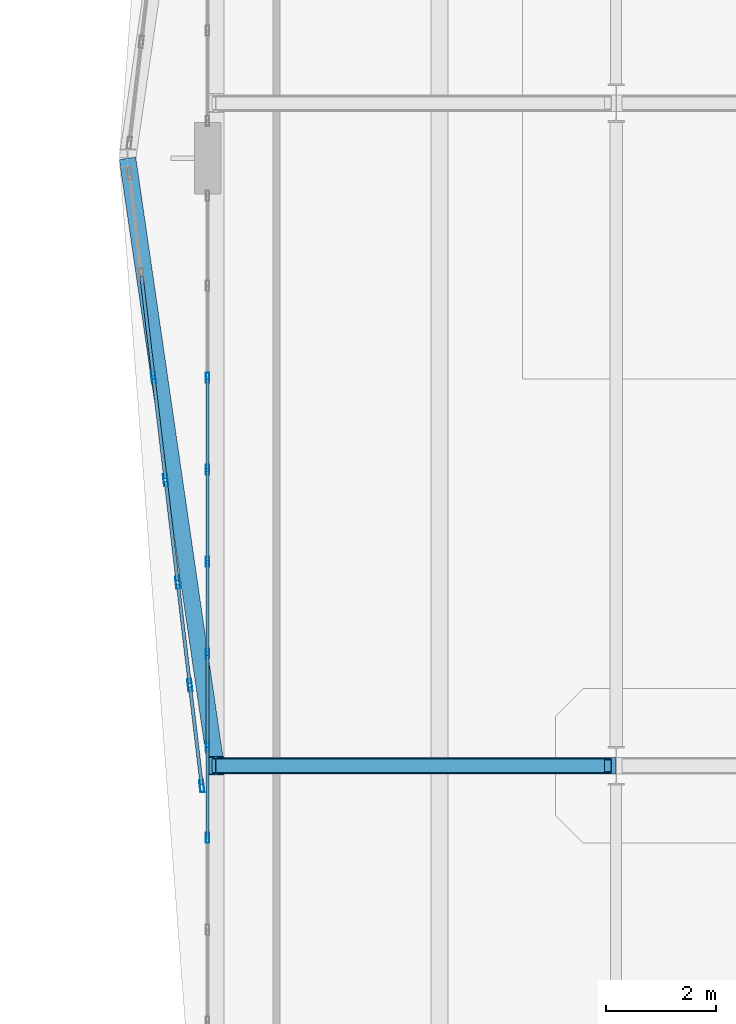
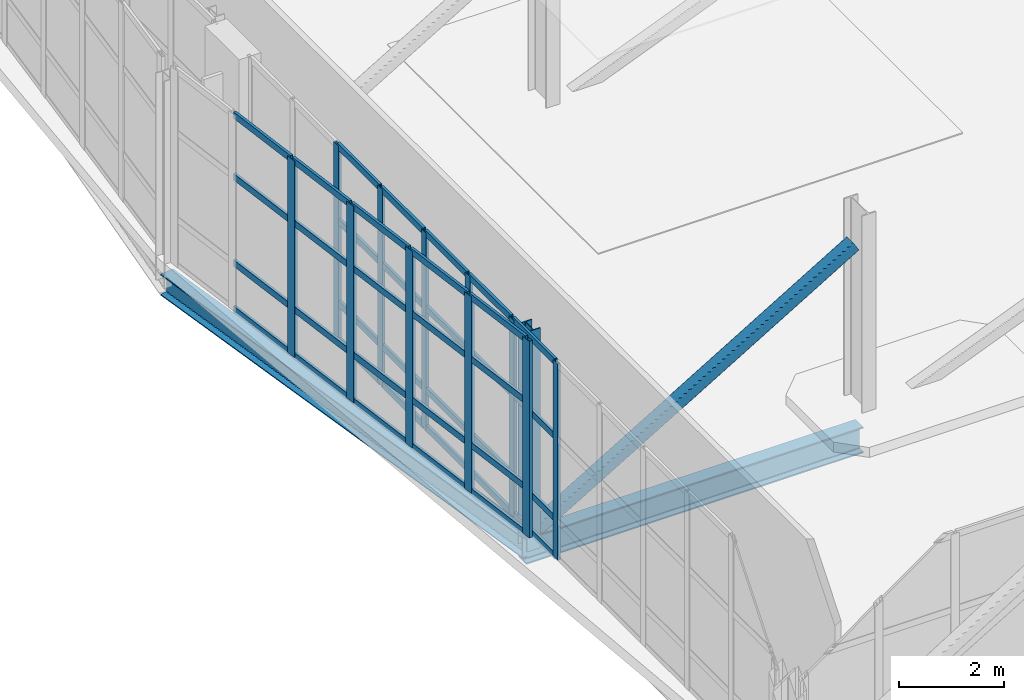
# One storey, part 18 of 100: 53 members, 2 beams, 2 elements without a shape of their own.
"""IFC4 building model written with IfcOpenShell, lengths in metres."""

from ifc_helpers import new_model, si_unit, direction, frame, origin, origin_2d, place, context, subcontext, project, spatial, hollow_rectangle, i_section, extrude, material, layer, layer_set, material_profile, profile_set, type_object, element, aggregate, save


model = new_model("IFC4")

# Units and contexts
model_context = context("Model", 3, precision=1e-05, world=origin(), true_north=direction((0.0, 1.0)))
body_context = subcontext(model_context, "Body", "Model", "MODEL_VIEW")
ifc_project = project(units=[si_unit("LENGTHUNIT", "METRE"), si_unit("AREAUNIT", "SQUARE_METRE"), si_unit("VOLUMEUNIT", "CUBIC_METRE"), si_unit("PLANEANGLEUNIT", "RADIAN"), si_unit("MASSUNIT", "GRAM", prefix="KILO")], contexts=[model_context])

# Site, building, storey
site_placement = place(None, origin())
site = spatial("IfcSite", under=ifc_project, at=site_placement, CompositionType="ELEMENT")
building_placement = place(site_placement, origin())
building = spatial("IfcBuilding", under=site, at=building_placement, Name="Tasgan Crest Museum", CompositionType="ELEMENT")
storey_placement = place(building_placement, frame((0.0, 0.0, 9.60009765625)))
storey = spatial("IfcBuildingStorey", under=building, at=storey_placement, Name="L02", CompositionType="ELEMENT", Elevation=9.60009765625)

# Beams
ifc_material_1 = material(Name="Steel S355K2", Category="steel")
ifc_material_profile_1 = material_profile(ifc_material_1, i_section(OverallWidth=0.300048828125, OverallDepth=0.60009765625, WebThickness=0.015380859375, FlangeThickness=0.030029296875, FilletRadius=0.027099609375, at=origin_2d()), Name="HEB 600")
ifc_profile_set_1 = profile_set([ifc_material_profile_1], Name="Steel S355K2")
beam_type_1 = type_object("IfcBeamType", Name="BM-CANT-G1", PredefinedType="BEAM", material=ifc_profile_set_1)
beam_1_placement = place(storey_placement, frame((3.39990234375, 50.0, -0.56005859375), z_axis=(1.0, 0.0, 0.0), x_axis=(0.0, 1.0, 0.0)))
element("IfcBeam", 1, at=beam_1_placement, inside=storey, type_object=beam_type_1, Name="Cantilever transfer girder BOT F", PredefinedType="BEAM", context=body_context, shape_type="SweptSolid", body=[
    extrude(i_section(OverallWidth=0.300048828125, OverallDepth=0.60009765625, WebThickness=0.015380859375, FlangeThickness=0.030029296875, FilletRadius=0.027099609375, at=origin_2d()), origin(), (0.0, 0.0, 1.0), 7.3935546875),
])
ifc_material_2 = material(Name="Steel S355J2", Category="steel")
ifc_material_profile_2 = material_profile(ifc_material_2, i_section(OverallWidth=0.300048828125, OverallDepth=0.489990234375, WebThickness=0.011962890625, FlangeThickness=0.02294921875, FilletRadius=0.027099609375, at=origin_2d()), Name="HEA 500")
ifc_profile_set_2 = profile_set([ifc_material_profile_2], Name="Steel S355J2")
beam_type_2 = type_object("IfcBeamType", Name="BM-G-HEA500", PredefinedType="BEAM", material=ifc_profile_set_2)
beam_2_placement = place(storey_placement, frame((3.550048828125, 50.0, -0.56005859375), z_axis=(-0.143948449067, 0.98958518785, 0.0), x_axis=(-0.98958518785, -0.143948449067, 0.0)))
element("IfcBeam", 2, at=beam_2_placement, inside=storey, type_object=beam_type_2, Name="Cantilever prow south girder L02", PredefinedType="BEAM", context=body_context, shape_type="SweptSolid", body=[
    extrude(i_section(OverallWidth=0.300048828125, OverallDepth=0.489990234375, WebThickness=0.011962890625, FlangeThickness=0.02294921875, FilletRadius=0.027099609375, at=origin_2d()), origin(), (0.0, 0.0, 1.0), 11.11572265625),
])

# Curtain wall, members
ifc_material_3 = material(Name="Triple-Glazed Aluminium Curtain Wall", Category="aluminium")
ifc_layer = layer(ifc_material_3, 0.179931640625, Name="CW-CANT-TIP-48")
ifc_layer_set = layer_set([ifc_layer], Name="Triple-Glazed Aluminium Curtain Wall")
curtain_wall_type = type_object("IfcCurtainWallType", Name="CW-CANT-TIP-48", PredefinedType="NOTDEFINED", material=ifc_layer_set)
curtain_wall_1_placement = place(storey_placement, origin())
curtain_wall_1 = element("IfcCurtainWall", 3, at=curtain_wall_1_placement, inside=storey, type_object=curtain_wall_type, Name="Curtain wall L02 095", PredefinedType="NOTDEFINED")
ifc_material_4 = material(Name="Anodised Aluminium", Category="aluminium")
ifc_material_profile_3 = material_profile(ifc_material_4, hollow_rectangle(XDim=0.06494140625, YDim=0.179931640625, WallThickness=0.0048828125, at=origin_2d()), Name="ALU MULLION 180x65x5")
ifc_profile_set_3 = profile_set([ifc_material_profile_3], Name="Anodised Aluminium")
member_type_1 = type_object("IfcMemberType", Name="CW-MULLION-180", PredefinedType="MULLION", material=ifc_profile_set_3)
member_1_placement = place(storey_placement, frame((3.39990234375, 57.0234375, 0.0), z_axis=(0.0, 0.0, 1.0), x_axis=(1.0, 0.0, 0.0)))
member_1 = element("IfcMember", 4, at=member_1_placement, type_object=member_type_1, Name="CW09 mullion 3", PredefinedType="MULLION", context=body_context, shape_type="SweptSolid", body=[
    extrude(hollow_rectangle(XDim=0.06494140625, YDim=0.179931640625, WallThickness=0.0048828125, at=origin_2d()), origin(), (0.0, 0.0, 1.0), 4.559814453125),
])
member_2_placement = place(storey_placement, frame((3.39990234375, 55.357421875, 0.0), z_axis=(0.0, 0.0, 1.0), x_axis=(1.0, 0.0, 0.0)))
member_2 = element("IfcMember", 5, at=member_2_placement, type_object=member_type_1, Name="CW09 mullion 4", PredefinedType="MULLION", context=body_context, shape_type="SweptSolid", body=[
    extrude(hollow_rectangle(XDim=0.06494140625, YDim=0.179931640625, WallThickness=0.0048828125, at=origin_2d()), origin(), (0.0, 0.0, 1.0), 4.559814453125),
])
member_3_placement = place(storey_placement, frame((3.39990234375, 53.691650390625, 0.0), z_axis=(0.0, 0.0, 1.0), x_axis=(1.0, 0.0, 0.0)))
member_3 = element("IfcMember", 6, at=member_3_placement, type_object=member_type_1, Name="CW09 mullion 5", PredefinedType="MULLION", context=body_context, shape_type="SweptSolid", body=[
    extrude(hollow_rectangle(XDim=0.06494140625, YDim=0.179931640625, WallThickness=0.0048828125, at=origin_2d()), origin(), (0.0, 0.0, 1.0), 4.559814453125),
])
member_4_placement = place(storey_placement, frame((3.39990234375, 52.02587890625, 0.0), z_axis=(0.0, 0.0, 1.0), x_axis=(1.0, 0.0, 0.0)))
member_4 = element("IfcMember", 7, at=member_4_placement, type_object=member_type_1, Name="CW09 mullion 6", PredefinedType="MULLION", context=body_context, shape_type="SweptSolid", body=[
    extrude(hollow_rectangle(XDim=0.06494140625, YDim=0.179931640625, WallThickness=0.0048828125, at=origin_2d()), origin(), (0.0, 0.0, 1.0), 4.559814453125),
])
member_5_placement = place(storey_placement, frame((3.39990234375, 50.360107421875, 0.0), z_axis=(0.0, 0.0, 1.0), x_axis=(1.0, 0.0, 0.0)))
member_5 = element("IfcMember", 8, at=member_5_placement, type_object=member_type_1, Name="CW09 mullion 7", PredefinedType="MULLION", context=body_context, shape_type="SweptSolid", body=[
    extrude(hollow_rectangle(XDim=0.06494140625, YDim=0.179931640625, WallThickness=0.0048828125, at=origin_2d()), origin(), (0.0, 0.0, 1.0), 4.559814453125),
])
member_6_placement = place(storey_placement, frame((3.39990234375, 48.694091796875, 0.0), z_axis=(0.0, 0.0, 1.0), x_axis=(1.0, 0.0, 0.0)))
member_6 = element("IfcMember", 9, at=member_6_placement, type_object=member_type_1, Name="CW09 mullion 8", PredefinedType="MULLION", context=body_context, shape_type="SweptSolid", body=[
    extrude(hollow_rectangle(XDim=0.06494140625, YDim=0.179931640625, WallThickness=0.0048828125, at=origin_2d()), origin(), (0.0, 0.0, 1.0), 4.559814453125),
])

curtain_wall_2_placement = place(storey_placement, origin())
curtain_wall_2 = element("IfcCurtainWall", 10, at=curtain_wall_2_placement, inside=storey, type_object=curtain_wall_type, Name="Cantilevered prow curtain wall L02 PROW-S", PredefinedType="NOTDEFINED")
ifc_material_5 = material(Name="Anodised Aluminium", Category="aluminium")
ifc_material_profile_4 = material_profile(ifc_material_5, hollow_rectangle(XDim=0.074951171875, YDim=0.219970703125, WallThickness=0.006103515625, at=origin_2d()), Name="ALU MULLION 220x75x6")
ifc_profile_set_4 = profile_set([ifc_material_profile_4], Name="Anodised Aluminium")
member_type_2 = type_object("IfcMemberType", Name="CW-MULLION-220", PredefinedType="MULLION", material=ifc_profile_set_4)
member_7_placement = place(storey_placement, frame((3.29638671875, 49.6298828125, 0.0), z_axis=(0.0, 0.0, 1.0), x_axis=(-0.993065228329, -0.117564672774, 0.0)))
member_7 = element("IfcMember", 11, at=member_7_placement, type_object=member_type_2, Name="CW09 mullion 1", PredefinedType="MULLION", context=body_context, shape_type="SweptSolid", body=[
    extrude(hollow_rectangle(XDim=0.074951171875, YDim=0.219970703125, WallThickness=0.006103515625, at=origin_2d()), origin(), (0.0, 0.0, 1.0), 4.559814453125),
])
member_8_placement = place(storey_placement, frame((3.080078125, 51.458251953125, 0.0), z_axis=(0.0, 0.0, 1.0), x_axis=(-0.993065228329, -0.117564672774, 0.0)))
member_8 = element("IfcMember", 12, at=member_8_placement, type_object=member_type_2, Name="CW09 mullion 2", PredefinedType="MULLION", context=body_context, shape_type="SweptSolid", body=[
    extrude(hollow_rectangle(XDim=0.074951171875, YDim=0.219970703125, WallThickness=0.006103515625, at=origin_2d()), origin(), (0.0, 0.0, 1.0), 4.559814453125),
])
member_9_placement = place(storey_placement, frame((2.860107421875, 53.316650390625, 0.0), z_axis=(0.0, 0.0, 1.0), x_axis=(-0.993065228329, -0.117564672774, 0.0)))
member_9 = element("IfcMember", 13, at=member_9_placement, type_object=member_type_2, Name="CW09 mullion 3", PredefinedType="MULLION", context=body_context, shape_type="SweptSolid", body=[
    extrude(hollow_rectangle(XDim=0.074951171875, YDim=0.219970703125, WallThickness=0.006103515625, at=origin_2d()), origin(), (0.0, 0.0, 1.0), 4.559814453125),
])
member_10_placement = place(storey_placement, frame((2.639892578125, 55.175048828125, 0.0), z_axis=(0.0, 0.0, 1.0), x_axis=(-0.993065228329, -0.117564672774, 0.0)))
member_10 = element("IfcMember", 14, at=member_10_placement, type_object=member_type_2, Name="CW09 mullion 4", PredefinedType="MULLION", context=body_context, shape_type="SweptSolid", body=[
    extrude(hollow_rectangle(XDim=0.074951171875, YDim=0.219970703125, WallThickness=0.006103515625, at=origin_2d()), origin(), (0.0, 0.0, 1.0), 4.559814453125),
])
member_11_placement = place(storey_placement, frame((2.419921875, 57.033447265625, 0.0), z_axis=(0.0, 0.0, 1.0), x_axis=(-0.993065228329, -0.117564672774, 0.0)))
member_11 = element("IfcMember", 15, at=member_11_placement, type_object=member_type_2, Name="CW09 mullion 5", PredefinedType="MULLION", context=body_context, shape_type="SweptSolid", body=[
    extrude(hollow_rectangle(XDim=0.074951171875, YDim=0.219970703125, WallThickness=0.006103515625, at=origin_2d()), origin(), (0.0, 0.0, 1.0), 4.559814453125),
])

# Member
ifc_material_6 = material(Name="Anodised Aluminium", Category="aluminium")
ifc_material_profile_5 = material_profile(ifc_material_6, hollow_rectangle(XDim=0.06005859375, YDim=0.14990234375, WallThickness=0.0048828125, at=origin_2d()), Name="ALU TRANSOM 150x60x5")
ifc_profile_set_5 = profile_set([ifc_material_profile_5], Name="Anodised Aluminium")
member_type_3 = type_object("IfcMemberType", Name="CW-TRANSOM-150", PredefinedType="USERDEFINED", material=ifc_profile_set_5)
member_12_placement = place(storey_placement, frame((3.39990234375, 56.993408203125, 0.02978515625), z_axis=(0.0, -1.0, 0.0), x_axis=(1.0, 0.0, 0.0)))
member_12 = element("IfcMember", 16, at=member_12_placement, type_object=member_type_3, Name="CW09 transom 3.1", ObjectType="TRANSOM", PredefinedType="USERDEFINED", context=body_context, shape_type="SweptSolid", body=[
    extrude(hollow_rectangle(XDim=0.06005859375, YDim=0.14990234375, WallThickness=0.0048828125, at=origin_2d()), origin(), (0.0, 0.0, 1.0), 1.60595703125),
])

member_13_placement = place(storey_placement, frame((3.39990234375, 56.993408203125, 0.89990234375), z_axis=(0.0, -1.0, 0.0), x_axis=(1.0, 0.0, 0.0)))
member_13 = element("IfcMember", 17, at=member_13_placement, type_object=member_type_3, Name="CW09 transom 3.2", ObjectType="TRANSOM", PredefinedType="USERDEFINED", context=body_context, shape_type="SweptSolid", body=[
    extrude(hollow_rectangle(XDim=0.06005859375, YDim=0.14990234375, WallThickness=0.0048828125, at=origin_2d()), origin(), (0.0, 0.0, 1.0), 1.60595703125),
])

member_14_placement = place(storey_placement, frame((3.39990234375, 56.993408203125, 2.7998046875), z_axis=(0.0, -1.0, 0.0), x_axis=(1.0, 0.0, 0.0)))
member_14 = element("IfcMember", 18, at=member_14_placement, type_object=member_type_3, Name="CW09 transom 3.3", ObjectType="TRANSOM", PredefinedType="USERDEFINED", context=body_context, shape_type="SweptSolid", body=[
    extrude(hollow_rectangle(XDim=0.06005859375, YDim=0.14990234375, WallThickness=0.0048828125, at=origin_2d()), origin(), (0.0, 0.0, 1.0), 1.60595703125),
])

member_15_placement = place(storey_placement, frame((3.39990234375, 56.993408203125, 4.52978515625), z_axis=(0.0, -1.0, 0.0), x_axis=(1.0, 0.0, 0.0)))
member_15 = element("IfcMember", 19, at=member_15_placement, type_object=member_type_3, Name="CW09 transom 3.4", ObjectType="TRANSOM", PredefinedType="USERDEFINED", context=body_context, shape_type="SweptSolid", body=[
    extrude(hollow_rectangle(XDim=0.06005859375, YDim=0.14990234375, WallThickness=0.0048828125, at=origin_2d()), origin(), (0.0, 0.0, 1.0), 1.60595703125),
])

member_16_placement = place(storey_placement, frame((3.39990234375, 55.327392578125, 0.02978515625), z_axis=(0.0, -1.0, 0.0), x_axis=(1.0, 0.0, 0.0)))
member_16 = element("IfcMember", 20, at=member_16_placement, type_object=member_type_3, Name="CW09 transom 4.1", ObjectType="TRANSOM", PredefinedType="USERDEFINED", context=body_context, shape_type="SweptSolid", body=[
    extrude(hollow_rectangle(XDim=0.06005859375, YDim=0.14990234375, WallThickness=0.0048828125, at=origin_2d()), origin(), (0.0, 0.0, 1.0), 1.605712890625),
])

member_17_placement = place(storey_placement, frame((3.39990234375, 55.327392578125, 0.89990234375), z_axis=(0.0, -1.0, 0.0), x_axis=(1.0, 0.0, 0.0)))
member_17 = element("IfcMember", 21, at=member_17_placement, type_object=member_type_3, Name="CW09 transom 4.2", ObjectType="TRANSOM", PredefinedType="USERDEFINED", context=body_context, shape_type="SweptSolid", body=[
    extrude(hollow_rectangle(XDim=0.06005859375, YDim=0.14990234375, WallThickness=0.0048828125, at=origin_2d()), origin(), (0.0, 0.0, 1.0), 1.605712890625),
])

member_18_placement = place(storey_placement, frame((3.39990234375, 55.327392578125, 2.7998046875), z_axis=(0.0, -1.0, 0.0), x_axis=(1.0, 0.0, 0.0)))
member_18 = element("IfcMember", 22, at=member_18_placement, type_object=member_type_3, Name="CW09 transom 4.3", ObjectType="TRANSOM", PredefinedType="USERDEFINED", context=body_context, shape_type="SweptSolid", body=[
    extrude(hollow_rectangle(XDim=0.06005859375, YDim=0.14990234375, WallThickness=0.0048828125, at=origin_2d()), origin(), (0.0, 0.0, 1.0), 1.605712890625),
])

member_19_placement = place(storey_placement, frame((3.39990234375, 55.327392578125, 4.52978515625), z_axis=(0.0, -1.0, 0.0), x_axis=(1.0, 0.0, 0.0)))
member_19 = element("IfcMember", 23, at=member_19_placement, type_object=member_type_3, Name="CW09 transom 4.4", ObjectType="TRANSOM", PredefinedType="USERDEFINED", context=body_context, shape_type="SweptSolid", body=[
    extrude(hollow_rectangle(XDim=0.06005859375, YDim=0.14990234375, WallThickness=0.0048828125, at=origin_2d()), origin(), (0.0, 0.0, 1.0), 1.605712890625),
])

member_20_placement = place(storey_placement, frame((3.39990234375, 53.66162109375, 0.02978515625), z_axis=(0.0, -1.0, 0.0), x_axis=(1.0, 0.0, 0.0)))
member_20 = element("IfcMember", 24, at=member_20_placement, type_object=member_type_3, Name="CW09 transom 5.1", ObjectType="TRANSOM", PredefinedType="USERDEFINED", context=body_context, shape_type="SweptSolid", body=[
    extrude(hollow_rectangle(XDim=0.06005859375, YDim=0.14990234375, WallThickness=0.0048828125, at=origin_2d()), origin(), (0.0, 0.0, 1.0), 1.605712890625),
])

member_21_placement = place(storey_placement, frame((3.39990234375, 53.66162109375, 0.89990234375), z_axis=(0.0, -1.0, 0.0), x_axis=(1.0, 0.0, 0.0)))
member_21 = element("IfcMember", 25, at=member_21_placement, type_object=member_type_3, Name="CW09 transom 5.2", ObjectType="TRANSOM", PredefinedType="USERDEFINED", context=body_context, shape_type="SweptSolid", body=[
    extrude(hollow_rectangle(XDim=0.06005859375, YDim=0.14990234375, WallThickness=0.0048828125, at=origin_2d()), origin(), (0.0, 0.0, 1.0), 1.605712890625),
])

member_22_placement = place(storey_placement, frame((3.39990234375, 53.66162109375, 2.7998046875), z_axis=(0.0, -1.0, 0.0), x_axis=(1.0, 0.0, 0.0)))
member_22 = element("IfcMember", 26, at=member_22_placement, type_object=member_type_3, Name="CW09 transom 5.3", ObjectType="TRANSOM", PredefinedType="USERDEFINED", context=body_context, shape_type="SweptSolid", body=[
    extrude(hollow_rectangle(XDim=0.06005859375, YDim=0.14990234375, WallThickness=0.0048828125, at=origin_2d()), origin(), (0.0, 0.0, 1.0), 1.605712890625),
])

member_23_placement = place(storey_placement, frame((3.39990234375, 53.66162109375, 4.52978515625), z_axis=(0.0, -1.0, 0.0), x_axis=(1.0, 0.0, 0.0)))
member_23 = element("IfcMember", 27, at=member_23_placement, type_object=member_type_3, Name="CW09 transom 5.4", ObjectType="TRANSOM", PredefinedType="USERDEFINED", context=body_context, shape_type="SweptSolid", body=[
    extrude(hollow_rectangle(XDim=0.06005859375, YDim=0.14990234375, WallThickness=0.0048828125, at=origin_2d()), origin(), (0.0, 0.0, 1.0), 1.605712890625),
])

member_24_placement = place(storey_placement, frame((3.39990234375, 51.995849609375, 0.02978515625), z_axis=(0.0, -1.0, 0.0), x_axis=(1.0, 0.0, 0.0)))
member_24 = element("IfcMember", 28, at=member_24_placement, type_object=member_type_3, Name="CW09 transom 6.1", ObjectType="TRANSOM", PredefinedType="USERDEFINED", context=body_context, shape_type="SweptSolid", body=[
    extrude(hollow_rectangle(XDim=0.06005859375, YDim=0.14990234375, WallThickness=0.0048828125, at=origin_2d()), origin(), (0.0, 0.0, 1.0), 1.60595703125),
])

member_25_placement = place(storey_placement, frame((3.39990234375, 51.995849609375, 0.89990234375), z_axis=(0.0, -1.0, 0.0), x_axis=(1.0, 0.0, 0.0)))
member_25 = element("IfcMember", 29, at=member_25_placement, type_object=member_type_3, Name="CW09 transom 6.2", ObjectType="TRANSOM", PredefinedType="USERDEFINED", context=body_context, shape_type="SweptSolid", body=[
    extrude(hollow_rectangle(XDim=0.06005859375, YDim=0.14990234375, WallThickness=0.0048828125, at=origin_2d()), origin(), (0.0, 0.0, 1.0), 1.60595703125),
])

member_26_placement = place(storey_placement, frame((3.39990234375, 51.995849609375, 2.7998046875), z_axis=(0.0, -1.0, 0.0), x_axis=(1.0, 0.0, 0.0)))
member_26 = element("IfcMember", 30, at=member_26_placement, type_object=member_type_3, Name="CW09 transom 6.3", ObjectType="TRANSOM", PredefinedType="USERDEFINED", context=body_context, shape_type="SweptSolid", body=[
    extrude(hollow_rectangle(XDim=0.06005859375, YDim=0.14990234375, WallThickness=0.0048828125, at=origin_2d()), origin(), (0.0, 0.0, 1.0), 1.60595703125),
])

member_27_placement = place(storey_placement, frame((3.39990234375, 51.995849609375, 4.52978515625), z_axis=(0.0, -1.0, 0.0), x_axis=(1.0, 0.0, 0.0)))
member_27 = element("IfcMember", 31, at=member_27_placement, type_object=member_type_3, Name="CW09 transom 6.4", ObjectType="TRANSOM", PredefinedType="USERDEFINED", context=body_context, shape_type="SweptSolid", body=[
    extrude(hollow_rectangle(XDim=0.06005859375, YDim=0.14990234375, WallThickness=0.0048828125, at=origin_2d()), origin(), (0.0, 0.0, 1.0), 1.60595703125),
])

member_28_placement = place(storey_placement, frame((3.39990234375, 50.330078125, 0.02978515625), z_axis=(0.0, -1.0, 0.0), x_axis=(1.0, 0.0, 0.0)))
member_28 = element("IfcMember", 32, at=member_28_placement, type_object=member_type_3, Name="CW09 transom 7.1", ObjectType="TRANSOM", PredefinedType="USERDEFINED", context=body_context, shape_type="SweptSolid", body=[
    extrude(hollow_rectangle(XDim=0.06005859375, YDim=0.14990234375, WallThickness=0.0048828125, at=origin_2d()), origin(), (0.0, 0.0, 1.0), 1.60595703125),
])

member_29_placement = place(storey_placement, frame((3.39990234375, 50.330078125, 0.89990234375), z_axis=(0.0, -1.0, 0.0), x_axis=(1.0, 0.0, 0.0)))
member_29 = element("IfcMember", 33, at=member_29_placement, type_object=member_type_3, Name="CW09 transom 7.2", ObjectType="TRANSOM", PredefinedType="USERDEFINED", context=body_context, shape_type="SweptSolid", body=[
    extrude(hollow_rectangle(XDim=0.06005859375, YDim=0.14990234375, WallThickness=0.0048828125, at=origin_2d()), origin(), (0.0, 0.0, 1.0), 1.60595703125),
])

member_30_placement = place(storey_placement, frame((3.39990234375, 50.330078125, 2.7998046875), z_axis=(0.0, -1.0, 0.0), x_axis=(1.0, 0.0, 0.0)))
member_30 = element("IfcMember", 34, at=member_30_placement, type_object=member_type_3, Name="CW09 transom 7.3", ObjectType="TRANSOM", PredefinedType="USERDEFINED", context=body_context, shape_type="SweptSolid", body=[
    extrude(hollow_rectangle(XDim=0.06005859375, YDim=0.14990234375, WallThickness=0.0048828125, at=origin_2d()), origin(), (0.0, 0.0, 1.0), 1.60595703125),
])

member_31_placement = place(storey_placement, frame((3.39990234375, 50.330078125, 4.52978515625), z_axis=(0.0, -1.0, 0.0), x_axis=(1.0, 0.0, 0.0)))
member_31 = element("IfcMember", 35, at=member_31_placement, type_object=member_type_3, Name="CW09 transom 7.4", ObjectType="TRANSOM", PredefinedType="USERDEFINED", context=body_context, shape_type="SweptSolid", body=[
    extrude(hollow_rectangle(XDim=0.06005859375, YDim=0.14990234375, WallThickness=0.0048828125, at=origin_2d()), origin(), (0.0, 0.0, 1.0), 1.60595703125),
])

aggregate(curtain_wall_1, [member_1, member_2, member_3, member_4, member_5, member_6, member_12, member_13, member_14, member_15, member_16, member_17, member_18, member_19, member_20, member_21, member_22, member_23, member_24, member_25, member_26, member_27, member_28, member_29, member_30, member_31])

member_32_placement = place(storey_placement, frame((3.29296875, 49.65966796875, 0.02978515625), z_axis=(-0.117604679302, 0.993060491313, 0.0), x_axis=(-0.993060491313, -0.117604679302, 0.0)))
member_32 = element("IfcMember", 36, at=member_32_placement, type_object=member_type_3, Name="CW09 transom 1.1", ObjectType="TRANSOM", PredefinedType="USERDEFINED", context=body_context, shape_type="SweptSolid", body=[
    extrude(hollow_rectangle(XDim=0.06005859375, YDim=0.14990234375, WallThickness=0.0048828125, at=origin_2d()), origin(), (0.0, 0.0, 1.0), 1.78125),
])

member_33_placement = place(storey_placement, frame((3.29296875, 49.65966796875, 1.099853515625), z_axis=(-0.117604679302, 0.993060491313, 0.0), x_axis=(-0.993060491313, -0.117604679302, 0.0)))
member_33 = element("IfcMember", 37, at=member_33_placement, type_object=member_type_3, Name="CW09 transom 1.2", ObjectType="TRANSOM", PredefinedType="USERDEFINED", context=body_context, shape_type="SweptSolid", body=[
    extrude(hollow_rectangle(XDim=0.06005859375, YDim=0.14990234375, WallThickness=0.0048828125, at=origin_2d()), origin(), (0.0, 0.0, 1.0), 1.78125),
])

member_34_placement = place(storey_placement, frame((3.29296875, 49.65966796875, 3.099853515625), z_axis=(-0.117604679302, 0.993060491313, 0.0), x_axis=(-0.993060491313, -0.117604679302, 0.0)))
member_34 = element("IfcMember", 38, at=member_34_placement, type_object=member_type_3, Name="CW09 transom 1.3", ObjectType="TRANSOM", PredefinedType="USERDEFINED", context=body_context, shape_type="SweptSolid", body=[
    extrude(hollow_rectangle(XDim=0.06005859375, YDim=0.14990234375, WallThickness=0.0048828125, at=origin_2d()), origin(), (0.0, 0.0, 1.0), 1.78125),
])

member_35_placement = place(storey_placement, frame((3.29296875, 49.65966796875, 4.52978515625), z_axis=(-0.117604679302, 0.993060491313, 0.0), x_axis=(-0.993060491313, -0.117604679302, 0.0)))
member_35 = element("IfcMember", 39, at=member_35_placement, type_object=member_type_3, Name="CW09 transom 1.4", ObjectType="TRANSOM", PredefinedType="USERDEFINED", context=body_context, shape_type="SweptSolid", body=[
    extrude(hollow_rectangle(XDim=0.06005859375, YDim=0.14990234375, WallThickness=0.0048828125, at=origin_2d()), origin(), (0.0, 0.0, 1.0), 1.78125),
])

member_36_placement = place(storey_placement, frame((3.076416015625, 51.488037109375, 0.02978515625), z_axis=(-0.117529386701, 0.993069405058, 0.0), x_axis=(-0.993069405058, -0.117529386701, 0.0)))
member_36 = element("IfcMember", 40, at=member_36_placement, type_object=member_type_3, Name="CW09 transom 2.1", ObjectType="TRANSOM", PredefinedType="USERDEFINED", context=body_context, shape_type="SweptSolid", body=[
    extrude(hollow_rectangle(XDim=0.06005859375, YDim=0.14990234375, WallThickness=0.0048828125, at=origin_2d()), origin(), (0.0, 0.0, 1.0), 1.811279296875),
])

member_37_placement = place(storey_placement, frame((3.076416015625, 51.488037109375, 1.099853515625), z_axis=(-0.117529386701, 0.993069405058, 0.0), x_axis=(-0.993069405058, -0.117529386701, 0.0)))
member_37 = element("IfcMember", 41, at=member_37_placement, type_object=member_type_3, Name="CW09 transom 2.2", ObjectType="TRANSOM", PredefinedType="USERDEFINED", context=body_context, shape_type="SweptSolid", body=[
    extrude(hollow_rectangle(XDim=0.06005859375, YDim=0.14990234375, WallThickness=0.0048828125, at=origin_2d()), origin(), (0.0, 0.0, 1.0), 1.811279296875),
])

member_38_placement = place(storey_placement, frame((3.076416015625, 51.488037109375, 3.099853515625), z_axis=(-0.117529386701, 0.993069405058, 0.0), x_axis=(-0.993069405058, -0.117529386701, 0.0)))
member_38 = element("IfcMember", 42, at=member_38_placement, type_object=member_type_3, Name="CW09 transom 2.3", ObjectType="TRANSOM", PredefinedType="USERDEFINED", context=body_context, shape_type="SweptSolid", body=[
    extrude(hollow_rectangle(XDim=0.06005859375, YDim=0.14990234375, WallThickness=0.0048828125, at=origin_2d()), origin(), (0.0, 0.0, 1.0), 1.811279296875),
])

member_39_placement = place(storey_placement, frame((3.076416015625, 51.488037109375, 4.52978515625), z_axis=(-0.117529386701, 0.993069405058, 0.0), x_axis=(-0.993069405058, -0.117529386701, 0.0)))
member_39 = element("IfcMember", 43, at=member_39_placement, type_object=member_type_3, Name="CW09 transom 2.4", ObjectType="TRANSOM", PredefinedType="USERDEFINED", context=body_context, shape_type="SweptSolid", body=[
    extrude(hollow_rectangle(XDim=0.06005859375, YDim=0.14990234375, WallThickness=0.0048828125, at=origin_2d()), origin(), (0.0, 0.0, 1.0), 1.811279296875),
])

member_40_placement = place(storey_placement, frame((2.8564453125, 53.346435546875, 0.02978515625), z_axis=(-0.117529386701, 0.993069405058, 0.0), x_axis=(-0.993069405058, -0.117529386701, 0.0)))
member_40 = element("IfcMember", 44, at=member_40_placement, type_object=member_type_3, Name="CW09 transom 3.1", ObjectType="TRANSOM", PredefinedType="USERDEFINED", context=body_context, shape_type="SweptSolid", body=[
    extrude(hollow_rectangle(XDim=0.06005859375, YDim=0.14990234375, WallThickness=0.0048828125, at=origin_2d()), origin(), (0.0, 0.0, 1.0), 1.811279296875),
])

member_41_placement = place(storey_placement, frame((2.8564453125, 53.346435546875, 1.099853515625), z_axis=(-0.117529386701, 0.993069405058, 0.0), x_axis=(-0.993069405058, -0.117529386701, 0.0)))
member_41 = element("IfcMember", 45, at=member_41_placement, type_object=member_type_3, Name="CW09 transom 3.2", ObjectType="TRANSOM", PredefinedType="USERDEFINED", context=body_context, shape_type="SweptSolid", body=[
    extrude(hollow_rectangle(XDim=0.06005859375, YDim=0.14990234375, WallThickness=0.0048828125, at=origin_2d()), origin(), (0.0, 0.0, 1.0), 1.811279296875),
])

member_42_placement = place(storey_placement, frame((2.8564453125, 53.346435546875, 3.099853515625), z_axis=(-0.117529386701, 0.993069405058, 0.0), x_axis=(-0.993069405058, -0.117529386701, 0.0)))
member_42 = element("IfcMember", 46, at=member_42_placement, type_object=member_type_3, Name="CW09 transom 3.3", ObjectType="TRANSOM", PredefinedType="USERDEFINED", context=body_context, shape_type="SweptSolid", body=[
    extrude(hollow_rectangle(XDim=0.06005859375, YDim=0.14990234375, WallThickness=0.0048828125, at=origin_2d()), origin(), (0.0, 0.0, 1.0), 1.811279296875),
])

member_43_placement = place(storey_placement, frame((2.8564453125, 53.346435546875, 4.52978515625), z_axis=(-0.117529386701, 0.993069405058, 0.0), x_axis=(-0.993069405058, -0.117529386701, 0.0)))
member_43 = element("IfcMember", 47, at=member_43_placement, type_object=member_type_3, Name="CW09 transom 3.4", ObjectType="TRANSOM", PredefinedType="USERDEFINED", context=body_context, shape_type="SweptSolid", body=[
    extrude(hollow_rectangle(XDim=0.06005859375, YDim=0.14990234375, WallThickness=0.0048828125, at=origin_2d()), origin(), (0.0, 0.0, 1.0), 1.811279296875),
])

member_44_placement = place(storey_placement, frame((2.636474609375, 55.204833984375, 0.02978515625), z_axis=(-0.117529386701, 0.993069405058, 0.0), x_axis=(-0.993069405058, -0.117529386701, 0.0)))
member_44 = element("IfcMember", 48, at=member_44_placement, type_object=member_type_3, Name="CW09 transom 4.1", ObjectType="TRANSOM", PredefinedType="USERDEFINED", context=body_context, shape_type="SweptSolid", body=[
    extrude(hollow_rectangle(XDim=0.06005859375, YDim=0.14990234375, WallThickness=0.0048828125, at=origin_2d()), origin(), (0.0, 0.0, 1.0), 1.811279296875),
])

member_45_placement = place(storey_placement, frame((2.636474609375, 55.204833984375, 1.099853515625), z_axis=(-0.117529386701, 0.993069405058, 0.0), x_axis=(-0.993069405058, -0.117529386701, 0.0)))
member_45 = element("IfcMember", 49, at=member_45_placement, type_object=member_type_3, Name="CW09 transom 4.2", ObjectType="TRANSOM", PredefinedType="USERDEFINED", context=body_context, shape_type="SweptSolid", body=[
    extrude(hollow_rectangle(XDim=0.06005859375, YDim=0.14990234375, WallThickness=0.0048828125, at=origin_2d()), origin(), (0.0, 0.0, 1.0), 1.811279296875),
])

member_46_placement = place(storey_placement, frame((2.636474609375, 55.204833984375, 3.099853515625), z_axis=(-0.117529386701, 0.993069405058, 0.0), x_axis=(-0.993069405058, -0.117529386701, 0.0)))
member_46 = element("IfcMember", 50, at=member_46_placement, type_object=member_type_3, Name="CW09 transom 4.3", ObjectType="TRANSOM", PredefinedType="USERDEFINED", context=body_context, shape_type="SweptSolid", body=[
    extrude(hollow_rectangle(XDim=0.06005859375, YDim=0.14990234375, WallThickness=0.0048828125, at=origin_2d()), origin(), (0.0, 0.0, 1.0), 1.811279296875),
])

member_47_placement = place(storey_placement, frame((2.636474609375, 55.204833984375, 4.52978515625), z_axis=(-0.117529386701, 0.993069405058, 0.0), x_axis=(-0.993069405058, -0.117529386701, 0.0)))
member_47 = element("IfcMember", 51, at=member_47_placement, type_object=member_type_3, Name="CW09 transom 4.4", ObjectType="TRANSOM", PredefinedType="USERDEFINED", context=body_context, shape_type="SweptSolid", body=[
    extrude(hollow_rectangle(XDim=0.06005859375, YDim=0.14990234375, WallThickness=0.0048828125, at=origin_2d()), origin(), (0.0, 0.0, 1.0), 1.811279296875),
])

member_48_placement = place(storey_placement, frame((2.41650390625, 57.063232421875, 0.02978515625), z_axis=(-0.117545119782, 0.993067542927, 0.0), x_axis=(-0.993067542927, -0.117545119782, 0.0)))
member_48 = element("IfcMember", 52, at=member_48_placement, type_object=member_type_3, Name="CW09 transom 5.1", ObjectType="TRANSOM", PredefinedType="USERDEFINED", context=body_context, shape_type="SweptSolid", body=[
    extrude(hollow_rectangle(XDim=0.06005859375, YDim=0.14990234375, WallThickness=0.0048828125, at=origin_2d()), origin(), (0.0, 0.0, 1.0), 1.81103515625),
])

member_49_placement = place(storey_placement, frame((2.41650390625, 57.063232421875, 1.099853515625), z_axis=(-0.117545119782, 0.993067542927, 0.0), x_axis=(-0.993067542927, -0.117545119782, 0.0)))
member_49 = element("IfcMember", 53, at=member_49_placement, type_object=member_type_3, Name="CW09 transom 5.2", ObjectType="TRANSOM", PredefinedType="USERDEFINED", context=body_context, shape_type="SweptSolid", body=[
    extrude(hollow_rectangle(XDim=0.06005859375, YDim=0.14990234375, WallThickness=0.0048828125, at=origin_2d()), origin(), (0.0, 0.0, 1.0), 1.81103515625),
])

member_50_placement = place(storey_placement, frame((2.41650390625, 57.063232421875, 3.099853515625), z_axis=(-0.117545119782, 0.993067542927, 0.0), x_axis=(-0.993067542927, -0.117545119782, 0.0)))
member_50 = element("IfcMember", 54, at=member_50_placement, type_object=member_type_3, Name="CW09 transom 5.3", ObjectType="TRANSOM", PredefinedType="USERDEFINED", context=body_context, shape_type="SweptSolid", body=[
    extrude(hollow_rectangle(XDim=0.06005859375, YDim=0.14990234375, WallThickness=0.0048828125, at=origin_2d()), origin(), (0.0, 0.0, 1.0), 1.81103515625),
])

member_51_placement = place(storey_placement, frame((2.41650390625, 57.063232421875, 4.52978515625), z_axis=(-0.117545119782, 0.993067542927, 0.0), x_axis=(-0.993067542927, -0.117545119782, 0.0)))
member_51 = element("IfcMember", 55, at=member_51_placement, type_object=member_type_3, Name="CW09 transom 5.4", ObjectType="TRANSOM", PredefinedType="USERDEFINED", context=body_context, shape_type="SweptSolid", body=[
    extrude(hollow_rectangle(XDim=0.06005859375, YDim=0.14990234375, WallThickness=0.0048828125, at=origin_2d()), origin(), (0.0, 0.0, 1.0), 1.81103515625),
])

aggregate(curtain_wall_2, [member_7, member_8, member_9, member_10, member_11, member_32, member_33, member_34, member_35, member_36, member_37, member_38, member_39, member_40, member_41, member_42, member_43, member_44, member_45, member_46, member_47, member_48, member_49, member_50, member_51])

# Members
ifc_material_7 = material(Name="Steel S355K2", Category="steel")
ifc_material_profile_6 = material_profile(ifc_material_7, hollow_rectangle(XDim=0.260009765625, YDim=0.260009765625, WallThickness=0.01416015625, InnerFilletRadius=0.01416015625, OuterFilletRadius=0.0283203125, at=origin_2d()), Name="SHS 260x260x14.2")
ifc_profile_set_6 = profile_set([ifc_material_profile_6], Name="Steel S355K2")
member_type_4 = type_object("IfcMemberType", Name="TR-CANT-DIAG", PredefinedType="BRACE", material=ifc_profile_set_6)
member_52_placement = place(storey_placement, frame((3.550048828125, 50.0, -0.280029296875), z_axis=(0.858553918599, 0.0, 0.51272328683), x_axis=(0.0, 1.0, 0.0)))
element("IfcMember", 56, at=member_52_placement, inside=storey, type_object=member_type_4, Name="Transfer truss diagonal L02 F-1", PredefinedType="BRACE", context=body_context, shape_type="SweptSolid", body=[
    extrude(hollow_rectangle(XDim=0.260009765625, YDim=0.260009765625, WallThickness=0.01416015625, InnerFilletRadius=0.01416015625, OuterFilletRadius=0.0283203125, at=origin_2d()), origin(), (0.0, 0.0, 1.0), 8.26953125),
])
ifc_material_8 = material(Name="Steel S355K2", Category="steel")
ifc_material_profile_7 = material_profile(ifc_material_8, i_section(OverallWidth=0.300048828125, OverallDepth=0.340087890625, WebThickness=0.011962890625, FlangeThickness=0.021484375, FilletRadius=0.027099609375, at=origin_2d()), Name="HEB 340")
ifc_profile_set_7 = profile_set([ifc_material_profile_7], Name="Steel S355K2")
member_type_5 = type_object("IfcMemberType", Name="TR-CANT-POST", PredefinedType="POST", material=ifc_profile_set_7)
member_53_placement = place(storey_placement, frame((3.550048828125, 50.0, -0.56005859375), z_axis=(0.0, 0.0, 1.0), x_axis=(1.0, 0.0, 0.0)))
element("IfcMember", 57, at=member_53_placement, inside=storey, type_object=member_type_5, Name="Cantilever truss tip post L02 F", PredefinedType="POST", context=body_context, shape_type="SweptSolid", body=[
    extrude(i_section(OverallWidth=0.300048828125, OverallDepth=0.340087890625, WebThickness=0.011962890625, FlangeThickness=0.021484375, FilletRadius=0.027099609375, at=origin_2d()), origin(), (0.0, 0.0, 1.0), 5.099853515625),
])

save(model, "model.ifc")
